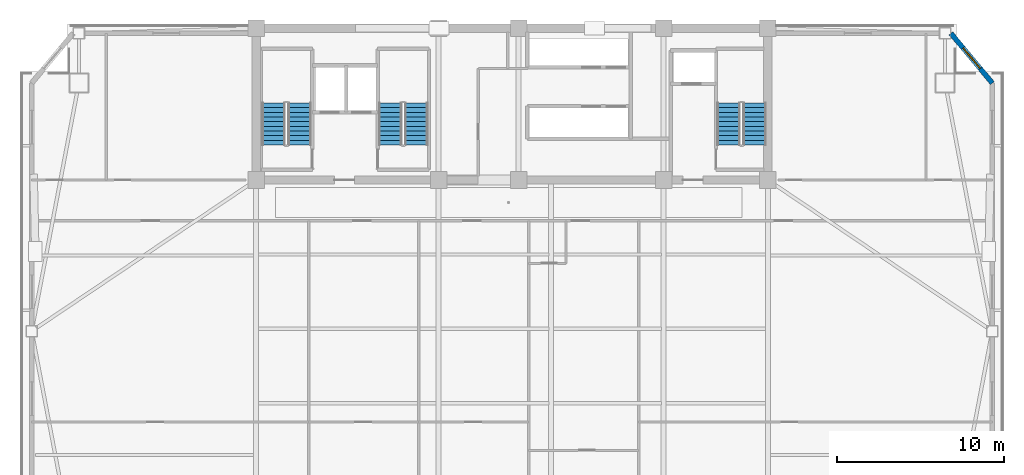
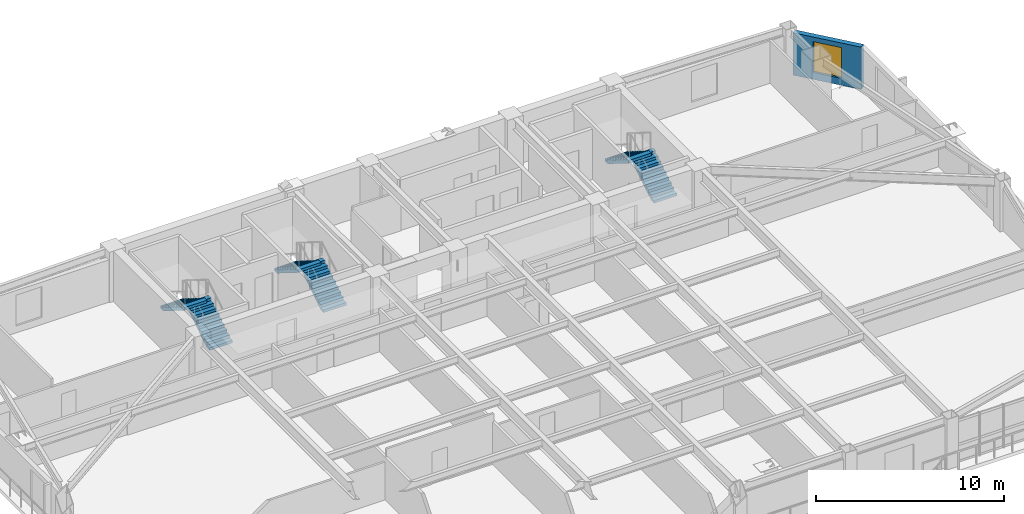
# One storey, part 11 of 17: 6 stair flights, 1 wall, 1 window, 1 opening, 3 elements without a shape of their own.
"""IFC4 building model written with IfcOpenShell, lengths in metres."""

from ifc_helpers import new_model, si_unit, direction, frame, frame_2d, origin, place, context, subcontext, project, spatial, polyline, rectangle, outline, extrude, source, transform, mapped, material, layer, layer_set, type_object, element, fill, aggregate, save


model = new_model("IFC4")

# Units and contexts
model_context = context("Model", 3, precision=1e-05, world=origin(), true_north=direction((0.0, 1.0)))
body_context = subcontext(model_context, "Body", "Model", "MODEL_VIEW")
ifc_project = project(units=[si_unit("LENGTHUNIT", "METRE"), si_unit("AREAUNIT", "SQUARE_METRE"), si_unit("VOLUMEUNIT", "CUBIC_METRE"), si_unit("PLANEANGLEUNIT", "RADIAN"), si_unit("MASSUNIT", "GRAM", prefix="KILO")], contexts=[model_context])

# Site, building, storey
site_placement = place(None, origin())
site = spatial("IfcSite", under=ifc_project, at=site_placement, CompositionType="ELEMENT")
building_placement = place(site_placement, origin())
building = spatial("IfcBuilding", under=site, at=building_placement, Name="Giltprow Tower", CompositionType="ELEMENT")
storey_placement = place(building_placement, frame((0.0, 0.0, 195.699951171875)))
storey = spatial("IfcBuildingStorey", under=building, at=storey_placement, Name="L49", CompositionType="ELEMENT", Elevation=195.699951171875)

# Wall, opening, window
ifc_material_1 = material(Name="Precast concrete C40", Category="concrete")
ifc_layer = layer(ifc_material_1, 0.300048828125, Name="Precast concrete C40")
ifc_layer_set = layer_set([ifc_layer], Name="Precast concrete C40")
wall_type = type_object("IfcWallType", Name="EW-NOTCH-CHAMFER-300", PredefinedType="SOLIDWALL", material=ifc_layer_set)
wall_placement = place(storey_placement, frame((64.011962890625, 43.264892578125, 0.0), z_axis=(0.0, 0.0, 1.0), x_axis=(-0.639770061202, 0.768566372403, 0.0)))
wall = element("IfcWall", 1, at=wall_placement, inside=storey, type_object=wall_type, Name="L49 Corner Notch Wall NE", PredefinedType="SOLIDWALL", context=body_context, shape_type="SweptSolid", body=[
    extrude(rectangle(XDim=3.884033203125, YDim=0.300048828125, at=frame_2d((1.94189453125, 0.0))), origin(), (0.0, 0.0, 1.0), 2.75),
])
opening_placement = place(wall_placement, frame((1.14208984375, 0.0, 0.449951171875)))
opening = element("IfcOpeningElement", 2, at=opening_placement, cuts=wall, Name="Opening WN17", PredefinedType="OPENING", context=body_context, shape_type="SweptSolid", body=[
    extrude(rectangle(XDim=1.60009765625, YDim=2.0, at=frame_2d((0.800048828125, 1.0))), frame((0.0, 0.159912109375, 0.0), z_axis=(0.0, -1.0, 0.0), x_axis=(1.0, 0.0, 0.0)), (0.0, 0.0, 1.0), 0.320068359375),
])
ifc_material_2 = material(Name="Insulated glass", Category="glass")
window_type = type_object("IfcWindowType", Name="WN-COR-1600x2000", PartitioningType="SINGLE_PANEL", PredefinedType="WINDOW", material=ifc_material_2)
shared_shape = source(origin(), body_context, "Body", "SweptSolid", [
    extrude(rectangle(XDim=1.60009765625, YDim=2.0, at=frame_2d((0.800048828125, 1.0))), frame((0.0, 0.030029296875, 0.0), z_axis=(0.0, -1.0, 0.0), x_axis=(1.0, 0.0, 0.0)), (0.0, 0.0, 1.0), 0.06005859375),
])
window_placement = place(opening_placement, origin())
window = element("IfcWindow", 3, at=window_placement, inside=storey, type_object=window_type, Name="L49 Corner Notch Window NE", OverallHeight=2.0, OverallWidth=1.60009765625, PartitioningType="SINGLE_PANEL", PredefinedType="WINDOW", context=body_context, shape_type="MappedRepresentation", body=[
    mapped(shared_shape, transform((0.0, 0.0, 0.0), x_axis=(1.0, 0.0, 0.0), y_axis=(0.0, 1.0, 0.0), z_axis=(0.0, 0.0, 1.0), scale=1.0)),
])
fill(opening, window)

# Stair, stair flights
ifc_material_3 = material(Name="Concrete C40", Category="concrete")
stair_type_1 = type_object("IfcStairType", Name="STR-ST-1", PredefinedType="HALF_TURN_STAIR", material=ifc_material_3)
stair_1_placement = place(storey_placement, origin())
stair_1 = element("IfcStair", 4, at=stair_1_placement, inside=storey, type_object=stair_type_1, Name="L49 Core Exit Stair ST-1", PredefinedType="HALF_TURN_STAIR")
stair_flight_type_1 = type_object("IfcStairFlightType", Name="SFL-ST-1", PredefinedType="STRAIGHT", material=ifc_material_3)
stair_flight_1_placement = place(storey_placement, frame((22.4599609375, 39.550048828125, 0.0), z_axis=(0.0, 0.0, 1.0), x_axis=(0.0, 1.0, 0.0)))
stair_flight_1 = element("IfcStairFlight", 5, at=stair_flight_1_placement, type_object=stair_flight_type_1, Name="ST-1 flight 1", NumberOfRisers=10, NumberOfTreads=9, PredefinedType="STRAIGHT", RiserHeight=0.175, TreadLength=0.28, context=body_context, shape_type="SweptSolid", body=[
    extrude(outline(polyline([(0.0, 0.0), (0.0, 0.175048828125), (0.280029296875, 0.175048828125), (0.280029296875, 0.35009765625), (0.56005859375, 0.35009765625), (0.56005859375, 0.52490234375), (0.840087890625, 0.52490234375), (0.840087890625, 0.699951171875), (1.1201171875, 0.699951171875), (1.1201171875, 0.875), (1.39990234375, 0.875), (1.39990234375, 1.050048828125), (1.679931640625, 1.050048828125), (1.679931640625, 1.22509765625), (1.9599609375, 1.22509765625), (1.9599609375, 1.39990234375), (2.239990234375, 1.39990234375), (2.239990234375, 1.574951171875), (2.52001953125, 1.574951171875), (2.52001953125, 1.75), (2.52001953125, 1.398193359375), (0.28271484375, 0.0), (0.0, 0.0)])), frame((0.0, 0.699951171875, 0.0), z_axis=(0.0, -1.0, 0.0), x_axis=(1.0, 0.0, 0.0)), (0.0, 0.0, 1.0), 1.39990234375),
])
stair_flight_2_placement = place(storey_placement, frame((20.89990234375, 42.070068359375, 1.75), z_axis=(0.0, 0.0, 1.0), x_axis=(0.0, -1.0, 0.0)))
stair_flight_2 = element("IfcStairFlight", 6, at=stair_flight_2_placement, type_object=stair_flight_type_1, Name="ST-1 flight 2", NumberOfRisers=10, NumberOfTreads=9, PredefinedType="STRAIGHT", RiserHeight=0.175, TreadLength=0.28, context=body_context, shape_type="SweptSolid", body=[
    extrude(outline(polyline([(0.0, 0.0), (0.0, 0.175048828125), (0.280029296875, 0.175048828125), (0.280029296875, 0.35009765625), (0.56005859375, 0.35009765625), (0.56005859375, 0.52490234375), (0.840087890625, 0.52490234375), (0.840087890625, 0.699951171875), (1.1201171875, 0.699951171875), (1.1201171875, 0.875), (1.39990234375, 0.875), (1.39990234375, 1.050048828125), (1.679931640625, 1.050048828125), (1.679931640625, 1.22509765625), (1.9599609375, 1.22509765625), (1.9599609375, 1.39990234375), (2.239990234375, 1.39990234375), (2.239990234375, 1.574951171875), (2.52001953125, 1.574951171875), (2.52001953125, 1.75), (2.52001953125, 1.398193359375), (0.28271484375, 0.0), (0.0, 0.0)])), frame((0.0, 0.699951171875, 0.0), z_axis=(0.0, -1.0, 0.0), x_axis=(1.0, 0.0, 0.0)), (0.0, 0.0, 1.0), 1.39990234375),
])
aggregate(stair_1, [stair_flight_1, stair_flight_2])

stair_type_2 = type_object("IfcStairType", Name="STR-ST-2", PredefinedType="HALF_TURN_STAIR", material=ifc_material_3)
stair_2_placement = place(storey_placement, origin())
stair_2 = element("IfcStair", 7, at=stair_2_placement, inside=storey, type_object=stair_type_2, Name="L49 Core Exit Stair ST-2", PredefinedType="HALF_TURN_STAIR")
stair_flight_type_2 = type_object("IfcStairFlightType", Name="SFL-ST-2", PredefinedType="STRAIGHT", material=ifc_material_3)
stair_flight_3_placement = place(storey_placement, frame((29.4599609375, 39.550048828125, 0.0), z_axis=(0.0, 0.0, 1.0), x_axis=(0.0, 1.0, 0.0)))
stair_flight_3 = element("IfcStairFlight", 8, at=stair_flight_3_placement, type_object=stair_flight_type_2, Name="ST-2 flight 1", NumberOfRisers=10, NumberOfTreads=9, PredefinedType="STRAIGHT", RiserHeight=0.175, TreadLength=0.28, context=body_context, shape_type="SweptSolid", body=[
    extrude(outline(polyline([(0.0, 0.0), (0.0, 0.175048828125), (0.280029296875, 0.175048828125), (0.280029296875, 0.35009765625), (0.56005859375, 0.35009765625), (0.56005859375, 0.52490234375), (0.840087890625, 0.52490234375), (0.840087890625, 0.699951171875), (1.1201171875, 0.699951171875), (1.1201171875, 0.875), (1.39990234375, 0.875), (1.39990234375, 1.050048828125), (1.679931640625, 1.050048828125), (1.679931640625, 1.22509765625), (1.9599609375, 1.22509765625), (1.9599609375, 1.39990234375), (2.239990234375, 1.39990234375), (2.239990234375, 1.574951171875), (2.52001953125, 1.574951171875), (2.52001953125, 1.75), (2.52001953125, 1.398193359375), (0.28271484375, 0.0), (0.0, 0.0)])), frame((0.0, 0.699951171875, 0.0), z_axis=(0.0, -1.0, 0.0), x_axis=(1.0, 0.0, 0.0)), (0.0, 0.0, 1.0), 1.39990234375),
])
stair_flight_4_placement = place(storey_placement, frame((27.89990234375, 42.070068359375, 1.75), z_axis=(0.0, 0.0, 1.0), x_axis=(0.0, -1.0, 0.0)))
stair_flight_4 = element("IfcStairFlight", 9, at=stair_flight_4_placement, type_object=stair_flight_type_2, Name="ST-2 flight 2", NumberOfRisers=10, NumberOfTreads=9, PredefinedType="STRAIGHT", RiserHeight=0.175, TreadLength=0.28, context=body_context, shape_type="SweptSolid", body=[
    extrude(outline(polyline([(0.0, 0.0), (0.0, 0.175048828125), (0.280029296875, 0.175048828125), (0.280029296875, 0.35009765625), (0.56005859375, 0.35009765625), (0.56005859375, 0.52490234375), (0.840087890625, 0.52490234375), (0.840087890625, 0.699951171875), (1.1201171875, 0.699951171875), (1.1201171875, 0.875), (1.39990234375, 0.875), (1.39990234375, 1.050048828125), (1.679931640625, 1.050048828125), (1.679931640625, 1.22509765625), (1.9599609375, 1.22509765625), (1.9599609375, 1.39990234375), (2.239990234375, 1.39990234375), (2.239990234375, 1.574951171875), (2.52001953125, 1.574951171875), (2.52001953125, 1.75), (2.52001953125, 1.398193359375), (0.28271484375, 0.0), (0.0, 0.0)])), frame((0.0, 0.699951171875, 0.0), z_axis=(0.0, -1.0, 0.0), x_axis=(1.0, 0.0, 0.0)), (0.0, 0.0, 1.0), 1.39990234375),
])
aggregate(stair_2, [stair_flight_3, stair_flight_4])

stair_type_3 = type_object("IfcStairType", Name="STR-ST-3", PredefinedType="HALF_TURN_STAIR", material=ifc_material_3)
stair_3_placement = place(storey_placement, origin())
stair_3 = element("IfcStair", 10, at=stair_3_placement, inside=storey, type_object=stair_type_3, Name="L49 Core Exit Stair ST-3", PredefinedType="HALF_TURN_STAIR")
stair_flight_type_3 = type_object("IfcStairFlightType", Name="SFL-ST-3", PredefinedType="STRAIGHT", material=ifc_material_3)
stair_flight_5_placement = place(storey_placement, frame((49.760009765625, 39.550048828125, 0.0), z_axis=(0.0, 0.0, 1.0), x_axis=(0.0, 1.0, 0.0)))
stair_flight_5 = element("IfcStairFlight", 11, at=stair_flight_5_placement, type_object=stair_flight_type_3, Name="ST-3 flight 1", NumberOfRisers=10, NumberOfTreads=9, PredefinedType="STRAIGHT", RiserHeight=0.175, TreadLength=0.28, context=body_context, shape_type="SweptSolid", body=[
    extrude(outline(polyline([(0.0, 0.0), (0.0, 0.175048828125), (0.280029296875, 0.175048828125), (0.280029296875, 0.35009765625), (0.56005859375, 0.35009765625), (0.56005859375, 0.52490234375), (0.840087890625, 0.52490234375), (0.840087890625, 0.699951171875), (1.1201171875, 0.699951171875), (1.1201171875, 0.875), (1.39990234375, 0.875), (1.39990234375, 1.050048828125), (1.679931640625, 1.050048828125), (1.679931640625, 1.22509765625), (1.9599609375, 1.22509765625), (1.9599609375, 1.39990234375), (2.239990234375, 1.39990234375), (2.239990234375, 1.574951171875), (2.52001953125, 1.574951171875), (2.52001953125, 1.75), (2.52001953125, 1.398193359375), (0.28271484375, 0.0), (0.0, 0.0)])), frame((0.0, 0.699951171875, 0.0), z_axis=(0.0, -1.0, 0.0), x_axis=(1.0, 0.0, 0.0)), (0.0, 0.0, 1.0), 1.39990234375),
])
stair_flight_6_placement = place(storey_placement, frame((48.199951171875, 42.070068359375, 1.75), z_axis=(0.0, 0.0, 1.0), x_axis=(0.0, -1.0, 0.0)))
stair_flight_6 = element("IfcStairFlight", 12, at=stair_flight_6_placement, type_object=stair_flight_type_3, Name="ST-3 flight 2", NumberOfRisers=10, NumberOfTreads=9, PredefinedType="STRAIGHT", RiserHeight=0.175, TreadLength=0.28, context=body_context, shape_type="SweptSolid", body=[
    extrude(outline(polyline([(0.0, 0.0), (0.0, 0.175048828125), (0.280029296875, 0.175048828125), (0.280029296875, 0.35009765625), (0.56005859375, 0.35009765625), (0.56005859375, 0.52490234375), (0.840087890625, 0.52490234375), (0.840087890625, 0.699951171875), (1.1201171875, 0.699951171875), (1.1201171875, 0.875), (1.39990234375, 0.875), (1.39990234375, 1.050048828125), (1.679931640625, 1.050048828125), (1.679931640625, 1.22509765625), (1.9599609375, 1.22509765625), (1.9599609375, 1.39990234375), (2.239990234375, 1.39990234375), (2.239990234375, 1.574951171875), (2.52001953125, 1.574951171875), (2.52001953125, 1.75), (2.52001953125, 1.398193359375), (0.28271484375, 0.0), (0.0, 0.0)])), frame((0.0, 0.699951171875, 0.0), z_axis=(0.0, -1.0, 0.0), x_axis=(1.0, 0.0, 0.0)), (0.0, 0.0, 1.0), 1.39990234375),
])
aggregate(stair_3, [stair_flight_5, stair_flight_6])

save(model, "model.ifc")
